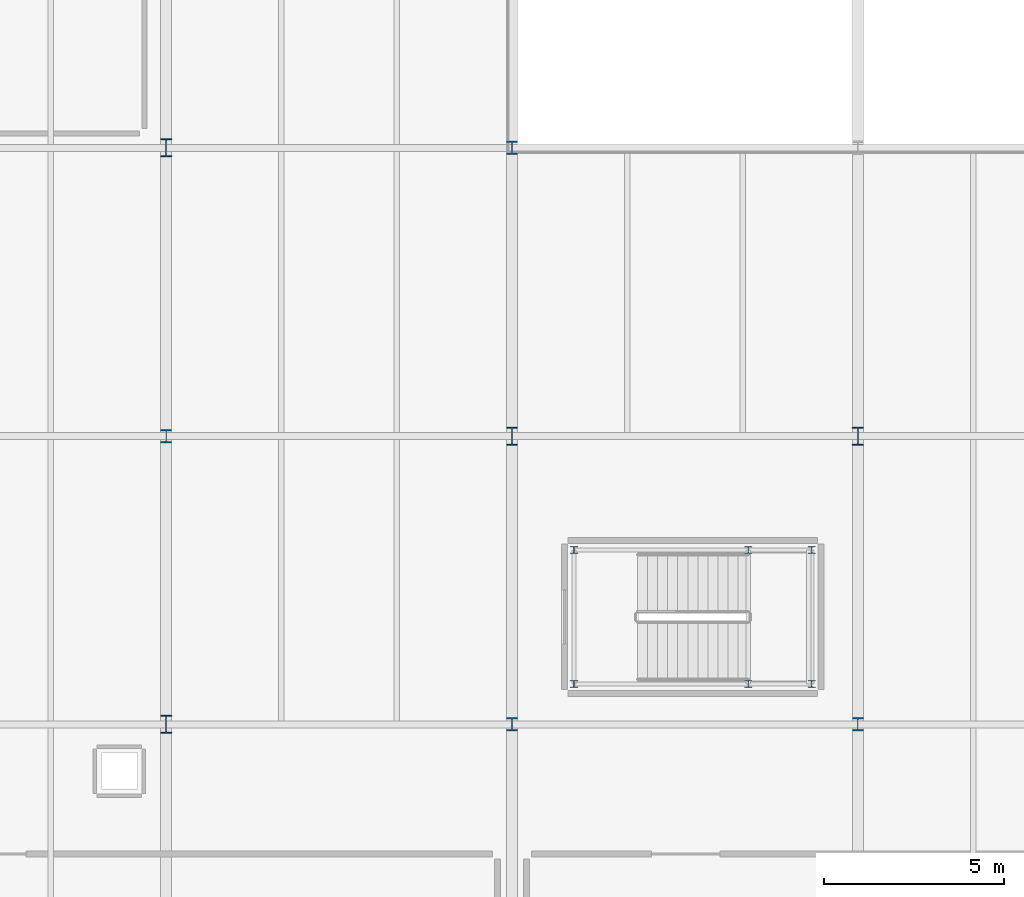
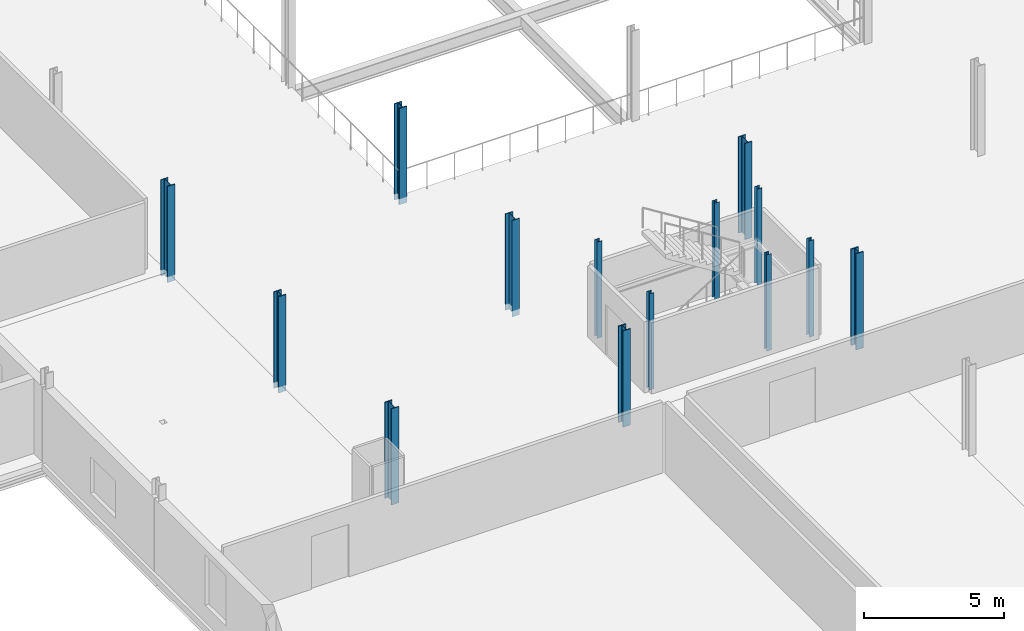
# One storey, part 7 of 78: 14 columns.
"""IFC4 building model written with IfcOpenShell, lengths in metres."""

from ifc_helpers import new_model, si_unit, direction, frame, origin, origin_2d, place, context, subcontext, project, spatial, i_section, extrude, material, material_profile, profile_set, type_object, element, save


model = new_model("IFC4")

# Units and contexts
model_context = context("Model", 3, precision=1e-05, world=origin(), true_north=direction((0.0, 1.0)))
body_context = subcontext(model_context, "Body", "Model", "MODEL_VIEW")
ifc_project = project(units=[si_unit("LENGTHUNIT", "METRE"), si_unit("AREAUNIT", "SQUARE_METRE"), si_unit("VOLUMEUNIT", "CUBIC_METRE"), si_unit("PLANEANGLEUNIT", "RADIAN"), si_unit("MASSUNIT", "GRAM", prefix="KILO")], contexts=[model_context])

# Site, building, storey
site_placement = place(None, origin())
site = spatial("IfcSite", under=ifc_project, at=site_placement, CompositionType="ELEMENT")
building_placement = place(site_placement, origin())
building = spatial("IfcBuilding", under=site, at=building_placement, Name="Alderhovde Museum", CompositionType="ELEMENT")
storey_placement = place(building_placement, frame((0.0, 0.0, 4.5)))
storey = spatial("IfcBuildingStorey", under=building, at=storey_placement, Name="L01", CompositionType="ELEMENT", Elevation=4.5)

# Columns
ifc_material_1 = material(Name="Steel S355J2", Category="steel")
ifc_material_profile_1 = material_profile(ifc_material_1, i_section(OverallWidth=0.199951171875, OverallDepth=0.18994140625, WebThickness=0.006591796875, FlangeThickness=0.010009765625, FilletRadius=0.01806640625, at=origin_2d()), Name="HEA 200")
ifc_profile_set_1 = profile_set([ifc_material_profile_1], Name="Steel S355J2")
column_type_1 = type_object("IfcColumnType", Name="COL-HEA200", PredefinedType="COLUMN", material=ifc_profile_set_1)
for number, where, z_axis, x_axis, name in (
    (1, (88.1201171875, 33.1201171875, 0.0), (0.0, 0.0, 1.0), (1.0, 0.0, 0.0), "L01 Stair ST3 Shaft Column 1"),
    (2, (94.719970703125, 33.1201171875, 0.0), (0.0, 0.0, 1.0), (1.0, 0.0, 0.0), "L01 Stair ST3 Shaft Column 2"),
    (3, (94.719970703125, 36.840087890625, 0.0), (0.0, 0.0, 1.0), (1.0, 0.0, 0.0), "L01 Stair ST3 Shaft Column 3"),
    (4, (88.1201171875, 36.840087890625, 0.0), (0.0, 0.0, 1.0), (1.0, 0.0, 0.0), "L01 Stair ST3 Shaft Column 4"),
    (5, (92.9599609375, 33.1201171875, 0.0), (0.0, 0.0, 1.0), (1.0, 0.0, 0.0), "L01 Stair ST3 Shaft Column 5"),
    (6, (92.9599609375, 36.840087890625, 0.0), (0.0, 0.0, 1.0), (1.0, 0.0, 0.0), "L01 Stair ST3 Shaft Column 6"),
):
    element("IfcColumn", number, at=place(storey_placement, frame(where, z_axis=z_axis, x_axis=x_axis)), inside=storey, type_object=column_type_1, Name=name, PredefinedType="COLUMN", context=body_context, shape_type="SweptSolid", body=[
        extrude(i_section(OverallWidth=0.199951171875, OverallDepth=0.18994140625, WebThickness=0.006591796875, FlangeThickness=0.010009765625, FilletRadius=0.01806640625, at=origin_2d()), origin(), (0.0, 0.0, 1.0), 4.199951171875),
    ])
ifc_material_2 = material(Name="Steel S355J2", Category="steel")
ifc_material_profile_2 = material_profile(ifc_material_2, i_section(OverallWidth=0.300048828125, OverallDepth=0.5, WebThickness=0.014404296875, FlangeThickness=0.028076171875, FilletRadius=0.027099609375, at=origin_2d()), Name="HEB 500")
ifc_profile_set_2 = profile_set([ifc_material_profile_2], Name="Steel S355J2")
column_type_2 = type_object("IfcColumnType", Name="COL-HEB500", PredefinedType="COLUMN", material=ifc_profile_set_2)
for number, where, z_axis, x_axis, name in (
    (7, (76.800048828125, 32.0, -0.260009765625), (0.0, 0.0, 1.0), (1.0, 0.0, 0.0), "L01 Column (76.8, 32.0)"),
    (8, (76.800048828125, 48.0, -0.260009765625), (0.0, 0.0, 1.0), (1.0, 0.0, 0.0), "L01 Column (76.8, 48.0)"),
    (9, (86.39990234375, 40.0, -0.260009765625), (0.0, 0.0, 1.0), (1.0, 0.0, 0.0), "L01 Column (86.4, 40.0)"),
    (10, (96.0, 40.0, -0.260009765625), (0.0, 0.0, 1.0), (1.0, 0.0, 0.0), "L01 Column (96.0, 40.0)"),
):
    element("IfcColumn", number, at=place(storey_placement, frame(where, z_axis=z_axis, x_axis=x_axis)), inside=storey, type_object=column_type_2, Name=name, PredefinedType="COLUMN", context=body_context, shape_type="SweptSolid", body=[
        extrude(i_section(OverallWidth=0.300048828125, OverallDepth=0.5, WebThickness=0.014404296875, FlangeThickness=0.028076171875, FilletRadius=0.027099609375, at=origin_2d()), origin(), (0.0, 0.0, 1.0), 4.199951171875),
    ])
ifc_material_3 = material(Name="Steel S355J2", Category="steel")
ifc_material_profile_3 = material_profile(ifc_material_3, i_section(OverallWidth=0.30908203125, OverallDepth=0.376953125, WebThickness=0.02099609375, FlangeThickness=0.0400390625, FilletRadius=0.027099609375, at=origin_2d()), Name="HEM 340")
ifc_profile_set_3 = profile_set([ifc_material_profile_3], Name="Steel S355J2")
column_type_3 = type_object("IfcColumnType", Name="COL-HEM340", PredefinedType="COLUMN", material=ifc_profile_set_3)
for number, where, z_axis, x_axis, name in (
    (11, (76.800048828125, 40.0, -0.260009765625), (0.0, 0.0, 1.0), (1.0, 0.0, 0.0), "L01 Column (76.8, 40.0)"),
    (12, (86.39990234375, 32.0, -0.260009765625), (0.0, 0.0, 1.0), (1.0, 0.0, 0.0), "L01 Column (86.4, 32.0)"),
    (13, (86.39990234375, 48.0, -0.260009765625), (0.0, 0.0, 1.0), (1.0, 0.0, 0.0), "L01 Column (86.4, 48.0)"),
    (14, (96.0, 32.0, -0.260009765625), (0.0, 0.0, 1.0), (1.0, 0.0, 0.0), "L01 Column (96.0, 32.0)"),
):
    element("IfcColumn", number, at=place(storey_placement, frame(where, z_axis=z_axis, x_axis=x_axis)), inside=storey, type_object=column_type_3, Name=name, PredefinedType="COLUMN", context=body_context, shape_type="SweptSolid", body=[
        extrude(i_section(OverallWidth=0.30908203125, OverallDepth=0.376953125, WebThickness=0.02099609375, FlangeThickness=0.0400390625, FilletRadius=0.027099609375, at=origin_2d()), origin(), (0.0, 0.0, 1.0), 4.199951171875),
    ])

save(model, "model.ifc")
